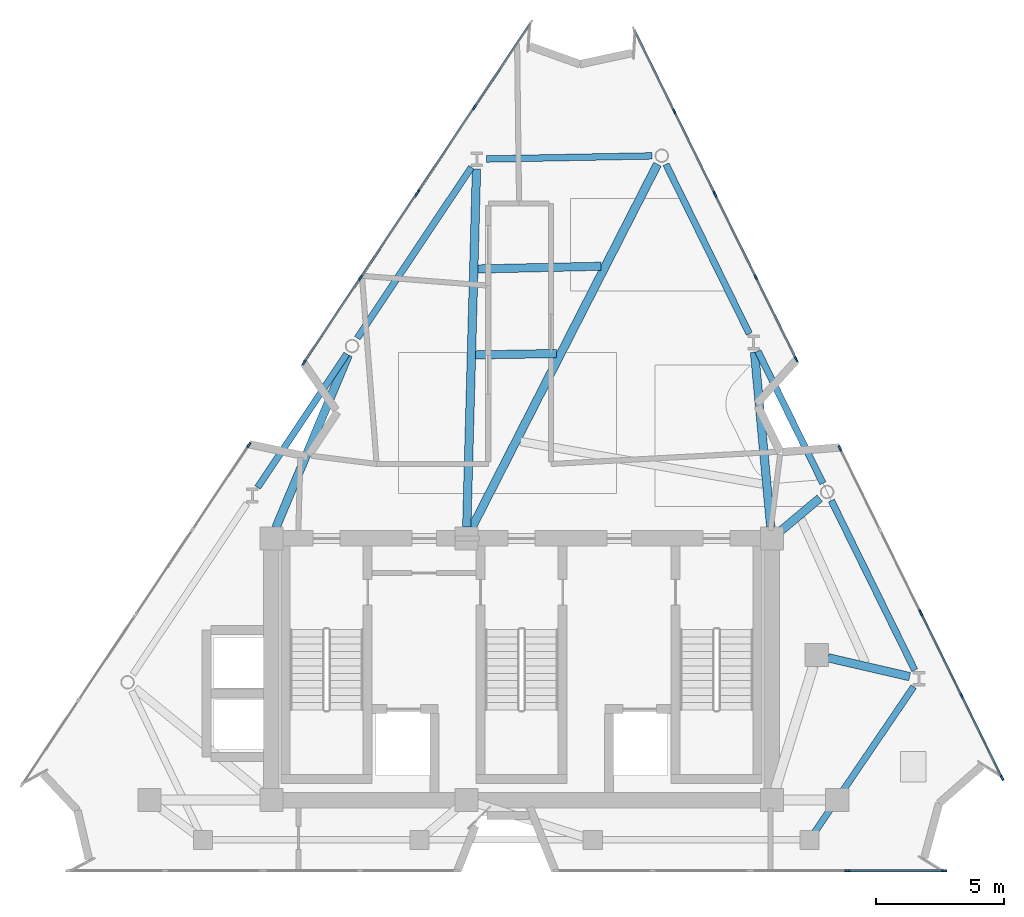
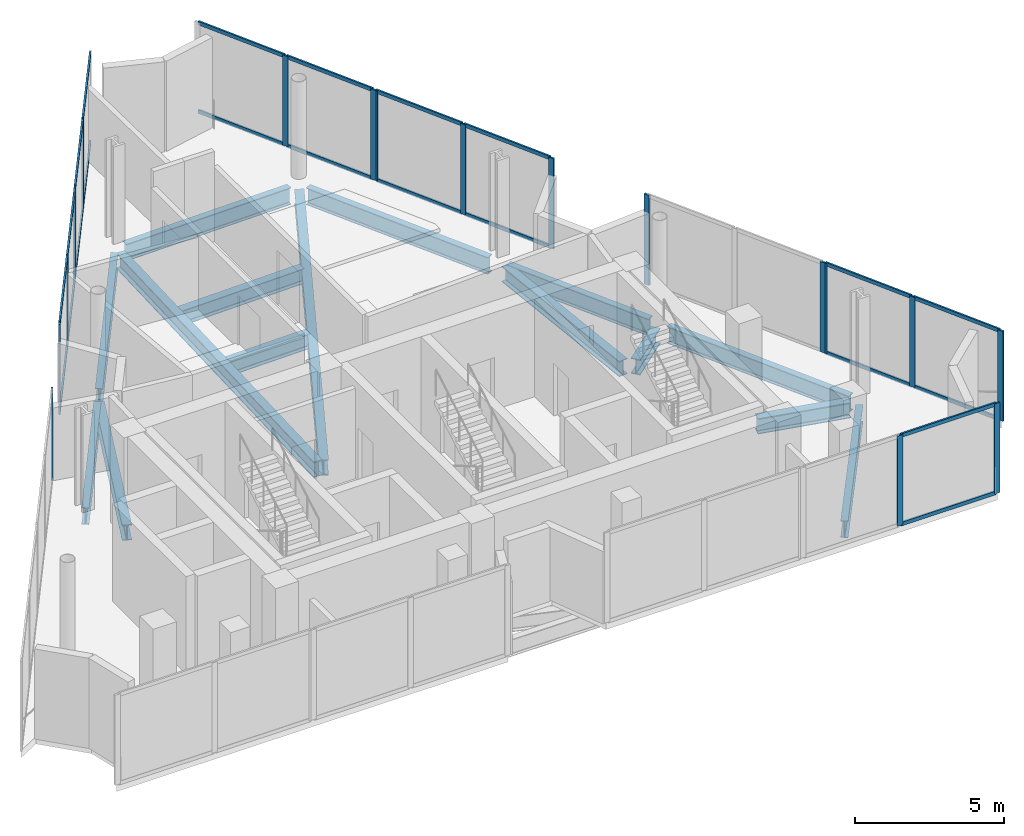
# One storey, part 3 of 9: 40 members, 15 beams, 8 elements without a shape of their own.
"""IFC4 building model written with IfcOpenShell, lengths in metres."""

from ifc_helpers import new_model, si_unit, direction, frame, origin, origin_2d, place, context, subcontext, project, spatial, rectangle, i_section, extrude, material, layer, layer_set, material_profile, profile_set, type_object, element, aggregate, save


model = new_model("IFC4")

# Units and contexts
model_context = context("Model", 3, precision=1e-05, world=origin(), true_north=direction((0.0, 1.0)))
body_context = subcontext(model_context, "Body", "Model", "MODEL_VIEW")
ifc_project = project(units=[si_unit("LENGTHUNIT", "METRE"), si_unit("AREAUNIT", "SQUARE_METRE"), si_unit("VOLUMEUNIT", "CUBIC_METRE"), si_unit("PLANEANGLEUNIT", "RADIAN"), si_unit("MASSUNIT", "GRAM", prefix="KILO")], contexts=[model_context])

# Site, building, storey
site_placement = place(None, origin())
site = spatial("IfcSite", under=ifc_project, at=site_placement, CompositionType="ELEMENT")
building_placement = place(site_placement, origin())
building = spatial("IfcBuilding", under=site, at=building_placement, Name="Almagre Mirador Tower", CompositionType="ELEMENT")
storey_placement = place(building_placement, frame((0.0, 0.0, 298.5)))
storey = spatial("IfcBuildingStorey", under=building, at=storey_placement, Name="L77", CompositionType="ELEMENT", Elevation=298.5)

# Beams
ifc_material_1 = material(Name="Steel ASTM A992 Grade 50", Category="steel")
ifc_material_profile_1 = material_profile(ifc_material_1, i_section(OverallWidth=0.323974609375, OverallDepth=0.611083984375, WebThickness=0.0126953125, FlangeThickness=0.01904296875, FilletRadius=0.02001953125, at=origin_2d()), Name="W24X104")
ifc_profile_set_1 = profile_set([ifc_material_profile_1], Name="Steel ASTM A992 Grade 50")
beam_type_1 = type_object("IfcBeamType", Name="BM-JST-W24X104", PredefinedType="JOIST", material=ifc_profile_set_1)
beam_1_placement = place(storey_placement, frame((40.3994140625, 25.354736328125, -0.60546875), z_axis=(-0.999754080781, -0.022176067319, 0.0), x_axis=(0.022176067319, -0.999754080781, 0.0)))
element("IfcBeam", 1, at=beam_1_placement, inside=storey, type_object=beam_type_1, Name="L77 secondary floor joist PC08-PC09.1", PredefinedType="JOIST", context=body_context, shape_type="SweptSolid", body=[
    extrude(i_section(OverallWidth=0.323974609375, OverallDepth=0.611083984375, WebThickness=0.0126953125, FlangeThickness=0.01904296875, FilletRadius=0.02001953125, at=origin_2d()), origin(), (0.0, 0.0, 1.0), 4.800048828125),
])
beam_2_placement = place(storey_placement, frame((38.662841796875, 21.952880859375, -0.60546875), z_axis=(-0.999854967676, -0.017030666839, 0.0), x_axis=(0.017030666839, -0.999854967676, 0.0)))
element("IfcBeam", 2, at=beam_2_placement, inside=storey, type_object=beam_type_1, Name="L77 secondary floor joist PC08-PC09.2", PredefinedType="JOIST", context=body_context, shape_type="SweptSolid", body=[
    extrude(i_section(OverallWidth=0.323974609375, OverallDepth=0.611083984375, WebThickness=0.0126953125, FlangeThickness=0.01904296875, FilletRadius=0.02001953125, at=origin_2d()), origin(), (0.0, 0.0, 1.0), 3.15380859375),
])
ifc_material_2 = material(Name="Steel ASTM A992 Grade 50", Category="steel")
ifc_material_profile_2 = material_profile(ifc_material_2, i_section(OverallWidth=0.256103515625, OverallDepth=0.693115234375, WebThickness=0.014404296875, FlangeThickness=0.023681640625, FilletRadius=0.02197265625, at=origin_2d()), Name="W27X114")
ifc_profile_set_2 = profile_set([ifc_material_profile_2], Name="Steel ASTM A992 Grade 50")
beam_type_2 = type_object("IfcBeamType", Name="BM-SPN-W27X114", PredefinedType="SPANDREL", material=ifc_profile_set_2)
beam_3_placement = place(storey_placement, frame((48.726806640625, 3.31005859375, -0.646484375), z_axis=(0.562310021407, 0.82692650207, 0.0), x_axis=(-0.82692650207, 0.562310021407, 0.0)))
element("IfcBeam", 3, at=beam_3_placement, inside=storey, type_object=beam_type_2, Name="L77 perimeter spandrel beam PC04-PC05", PredefinedType="SPANDREL", context=body_context, shape_type="SweptSolid", body=[
    extrude(i_section(OverallWidth=0.256103515625, OverallDepth=0.693115234375, WebThickness=0.014404296875, FlangeThickness=0.023681640625, FilletRadius=0.02197265625, at=origin_2d()), origin(), (0.0, 0.0, 1.0), 6.842041015625),
])
beam_4_placement = place(storey_placement, frame((52.619384765625, 9.614501953125, -0.646484375), z_axis=(-0.441261435998, 0.897378596302, 0.0), x_axis=(-0.897378596302, -0.441261435998, 0.0)))
element("IfcBeam", 4, at=beam_4_placement, inside=storey, type_object=beam_type_2, Name="L77 perimeter spandrel beam PC05-PC06", PredefinedType="SPANDREL", context=body_context, shape_type="SweptSolid", body=[
    extrude(i_section(OverallWidth=0.256103515625, OverallDepth=0.693115234375, WebThickness=0.014404296875, FlangeThickness=0.023681640625, FilletRadius=0.02197265625, at=origin_2d()), origin(), (0.0, 0.0, 1.0), 7.362548828125),
])
beam_5_placement = place(storey_placement, frame((49.03955078125, 16.89453125, -0.646484375), z_axis=(-0.441283159843, 0.897367913867, 0.0), x_axis=(-0.897367913867, -0.441283159843, 0.0)))
element("IfcBeam", 5, at=beam_5_placement, inside=storey, type_object=beam_type_2, Name="L77 perimeter spandrel beam PC06-PC07", PredefinedType="SPANDREL", context=body_context, shape_type="SweptSolid", body=[
    extrude(i_section(OverallWidth=0.256103515625, OverallDepth=0.693115234375, WebThickness=0.014404296875, FlangeThickness=0.023681640625, FilletRadius=0.02197265625, at=origin_2d()), origin(), (0.0, 0.0, 1.0), 5.739990234375),
])
beam_6_placement = place(storey_placement, frame((46.175537109375, 22.718505859375, -0.646484375), z_axis=(-0.441288138853, 0.897365465408, 0.0), x_axis=(-0.897365465408, -0.441288138853, 0.0)))
element("IfcBeam", 6, at=beam_6_placement, inside=storey, type_object=beam_type_2, Name="L77 perimeter spandrel beam PC07-PC08", PredefinedType="SPANDREL", context=body_context, shape_type="SweptSolid", body=[
    extrude(i_section(OverallWidth=0.256103515625, OverallDepth=0.693115234375, WebThickness=0.014404296875, FlangeThickness=0.023681640625, FilletRadius=0.02197265625, at=origin_2d()), origin(), (0.0, 0.0, 1.0), 7.362548828125),
])
beam_7_placement = place(storey_placement, frame((42.385986328125, 29.65478515625, -0.646484375), z_axis=(-0.99982288109, -0.018820373253, 0.0), x_axis=(0.018820373253, -0.99982288109, 0.0)))
element("IfcBeam", 7, at=beam_7_placement, inside=storey, type_object=beam_type_2, Name="L77 perimeter spandrel beam PC08-PC09", PredefinedType="SPANDREL", context=body_context, shape_type="SweptSolid", body=[
    extrude(i_section(OverallWidth=0.256103515625, OverallDepth=0.693115234375, WebThickness=0.014404296875, FlangeThickness=0.023681640625, FilletRadius=0.02197265625, at=origin_2d()), origin(), (0.0, 0.0, 1.0), 6.460205078125),
])
beam_8_placement = place(storey_placement, frame((35.34375, 29.214111328125, -0.646484375), z_axis=(-0.555228061938, -0.831698141898, 0.0), x_axis=(0.831698141898, -0.555228061938, 0.0)))
element("IfcBeam", 8, at=beam_8_placement, inside=storey, type_object=beam_type_2, Name="L77 perimeter spandrel beam PC09-PC10", PredefinedType="SPANDREL", context=body_context, shape_type="SweptSolid", body=[
    extrude(i_section(OverallWidth=0.256103515625, OverallDepth=0.693115234375, WebThickness=0.014404296875, FlangeThickness=0.023681640625, FilletRadius=0.02197265625, at=origin_2d()), origin(), (0.0, 0.0, 1.0), 8.003173828125),
])
beam_9_placement = place(storey_placement, frame((30.48388671875, 21.93408203125, -0.646484375), z_axis=(-0.555240722479, -0.831689689789, 0.0), x_axis=(0.831689689789, -0.555240722479, 0.0)))
element("IfcBeam", 9, at=beam_9_placement, inside=storey, type_object=beam_type_2, Name="L77 perimeter spandrel beam PC10-PC11", PredefinedType="SPANDREL", context=body_context, shape_type="SweptSolid", body=[
    extrude(i_section(OverallWidth=0.256103515625, OverallDepth=0.693115234375, WebThickness=0.014404296875, FlangeThickness=0.023681640625, FilletRadius=0.02197265625, at=origin_2d()), origin(), (0.0, 0.0, 1.0), 6.252685546875),
])
ifc_material_3 = material(Name="Steel ASTM A992 Grade 50", Category="steel")
ifc_material_profile_3 = material_profile(ifc_material_3, i_section(OverallWidth=0.330078125, OverallDepth=0.635009765625, WebThickness=0.017822265625, FlangeThickness=0.031005859375, FilletRadius=0.02001953125, at=origin_2d()), Name="W24X162")
ifc_profile_set_3 = profile_set([ifc_material_profile_3], Name="Steel ASTM A992 Grade 50")
beam_type_3 = type_object("IfcBeamType", Name="BM-STL-W24X162", PredefinedType="BEAM", material=ifc_profile_set_3)
beam_10_placement = place(storey_placement, frame((52.419677734375, 9.362548828125, -0.617431640625), z_axis=(-0.974262507949, 0.225416427094, 0.0), x_axis=(-0.225416427094, -0.974262507949, 0.0)))
element("IfcBeam", 10, at=beam_10_placement, inside=storey, type_object=beam_type_3, Name="L77 radial floor girder PC05-MC3", PredefinedType="BEAM", context=body_context, shape_type="SweptSolid", body=[
    extrude(i_section(OverallWidth=0.330078125, OverallDepth=0.635009765625, WebThickness=0.017822265625, FlangeThickness=0.031005859375, FilletRadius=0.02001953125, at=origin_2d()), origin(), (0.0, 0.0, 1.0), 3.265380859375),
])
beam_11_placement = place(storey_placement, frame((48.917724609375, 16.31689453125, -0.617431640625), z_axis=(-0.766123266272, -0.642693660212, 0.0), x_axis=(0.642693660212, -0.766123266272, 0.0)))
element("IfcBeam", 11, at=beam_11_placement, inside=storey, type_object=beam_type_3, Name="L77 radial floor girder PC06-CC6", PredefinedType="BEAM", context=body_context, shape_type="SweptSolid", body=[
    extrude(i_section(OverallWidth=0.330078125, OverallDepth=0.635009765625, WebThickness=0.017822265625, FlangeThickness=0.031005859375, FilletRadius=0.02001953125, at=origin_2d()), origin(), (0.0, 0.0, 1.0), 1.98779296875),
])
beam_12_placement = place(storey_placement, frame((46.375732421875, 22.008544921875, -0.617431640625), z_axis=(0.092482640645, -0.995714296964, 0.0), x_axis=(0.995714296964, 0.092482640645, 0.0)))
element("IfcBeam", 12, at=beam_12_placement, inside=storey, type_object=beam_type_3, Name="L77 radial floor girder PC07-CC6", PredefinedType="BEAM", context=body_context, shape_type="SweptSolid", body=[
    extrude(i_section(OverallWidth=0.330078125, OverallDepth=0.635009765625, WebThickness=0.017822265625, FlangeThickness=0.031005859375, FilletRadius=0.02001953125, at=origin_2d()), origin(), (0.0, 0.0, 1.0), 6.83984375),
])
beam_13_placement = place(storey_placement, frame((42.590576171875, 29.327880859375, -0.617431640625), z_axis=(-0.454615883483, -0.890687598704, 0.0), x_axis=(0.890687598704, -0.454615883483, 0.0)))
element("IfcBeam", 13, at=beam_13_placement, inside=storey, type_object=beam_type_3, Name="L77 radial floor girder PC08-CC5", PredefinedType="BEAM", context=body_context, shape_type="SweptSolid", body=[
    extrude(i_section(OverallWidth=0.330078125, OverallDepth=0.635009765625, WebThickness=0.017822265625, FlangeThickness=0.031005859375, FilletRadius=0.02001953125, at=origin_2d()), origin(), (0.0, 0.0, 1.0), 15.9169921875),
])
beam_14_placement = place(storey_placement, frame((35.541748046875, 29.151123046875, -0.617431640625), z_axis=(-0.027201410592, -0.999629973171, 0.0), x_axis=(0.999629973171, -0.027201410592, 0.0)))
element("IfcBeam", 14, at=beam_14_placement, inside=storey, type_object=beam_type_3, Name="L77 radial floor girder PC09-CC5", PredefinedType="BEAM", context=body_context, shape_type="SweptSolid", body=[
    extrude(i_section(OverallWidth=0.330078125, OverallDepth=0.635009765625, WebThickness=0.017822265625, FlangeThickness=0.031005859375, FilletRadius=0.02001953125, at=origin_2d()), origin(), (0.0, 0.0, 1.0), 13.95654296875),
])
beam_15_placement = place(storey_placement, frame((30.547119140625, 21.900146484375, -0.617431640625), z_axis=(-0.386563420081, -0.922262827102, 0.0), x_axis=(0.922262827102, -0.386563420081, 0.0)))
element("IfcBeam", 15, at=beam_15_placement, inside=storey, type_object=beam_type_3, Name="L77 radial floor girder PC10-CC4", PredefinedType="BEAM", context=body_context, shape_type="SweptSolid", body=[
    extrude(i_section(OverallWidth=0.330078125, OverallDepth=0.635009765625, WebThickness=0.017822265625, FlangeThickness=0.031005859375, FilletRadius=0.02001953125, at=origin_2d()), origin(), (0.0, 0.0, 1.0), 7.302734375),
])

# Curtain wall, members
ifc_material_4 = material(Name="Black anodized aluminium", Category="aluminium")
ifc_layer = layer(ifc_material_4, 0.2099609375)
ifc_layer_set = layer_set([ifc_layer], Name="Black anodized aluminium")
curtain_wall_type = type_object("IfcCurtainWallType", Name="CW-CRN-SYS", PredefinedType="NOTDEFINED", material=ifc_layer_set)
curtain_wall_1_placement = place(storey_placement, origin())
curtain_wall_1 = element("IfcCurtainWall", 16, at=curtain_wall_1_placement, inside=storey, type_object=curtain_wall_type, Name="L77 curtain wall run 01", PredefinedType="NOTDEFINED")
ifc_material_5 = material(Name="Black anodized aluminium", Category="aluminium")
ifc_material_profile_4 = material_profile(ifc_material_5, rectangle(XDim=0.070068359375, YDim=0.2099609375, at=origin_2d()), Name="CWM70X210")
ifc_profile_set_4 = profile_set([ifc_material_profile_4], Name="Black anodized aluminium")
member_type_1 = type_object("IfcMemberType", Name="MBR-CWM70X210", PredefinedType="MULLION", material=ifc_profile_set_4)
member_1_placement = place(storey_placement, frame((28.824462890625, 21.609130859375, 0.0), z_axis=(0.0, 0.0, 1.0), x_axis=(-0.831703606854, 0.555219875676, 0.0)))
member_1 = element("IfcMember", 17, at=member_1_placement, type_object=member_type_1, Name="CW-6 mullion 1", PredefinedType="MULLION", context=body_context, shape_type="SweptSolid", body=[
    extrude(rectangle(XDim=0.070068359375, YDim=0.2099609375, at=origin_2d()), origin(), (0.0, 0.0, 1.0), 3.699951171875),
])
member_2_placement = place(storey_placement, frame((31.0234375, 24.9033203125, 0.0), z_axis=(0.0, 0.0, 1.0), x_axis=(-0.831703606854, 0.555219875676, 0.0)))
member_2 = element("IfcMember", 18, at=member_2_placement, type_object=member_type_1, Name="CW-6 mullion 2", PredefinedType="MULLION", context=body_context, shape_type="SweptSolid", body=[
    extrude(rectangle(XDim=0.070068359375, YDim=0.2099609375, at=origin_2d()), origin(), (0.0, 0.0, 1.0), 3.699951171875),
])
member_3_placement = place(storey_placement, frame((33.22265625, 28.197509765625, 0.0), z_axis=(0.0, 0.0, 1.0), x_axis=(-0.831703606854, 0.555219875676, 0.0)))
member_3 = element("IfcMember", 19, at=member_3_placement, type_object=member_type_1, Name="CW-6 mullion 3", PredefinedType="MULLION", context=body_context, shape_type="SweptSolid", body=[
    extrude(rectangle(XDim=0.070068359375, YDim=0.2099609375, at=origin_2d()), origin(), (0.0, 0.0, 1.0), 3.699951171875),
])

curtain_wall_2_placement = place(storey_placement, origin())
curtain_wall_2 = element("IfcCurtainWall", 20, at=curtain_wall_2_placement, inside=storey, type_object=curtain_wall_type, Name="L77 curtain wall run 02", PredefinedType="NOTDEFINED")
member_4_placement = place(storey_placement, frame((33.261474609375, 28.255615234375, 0.0), z_axis=(0.0, 0.0, 1.0), x_axis=(-0.831703606854, 0.555219875676, 0.0)))
member_4 = element("IfcMember", 21, at=member_4_placement, type_object=member_type_1, Name="CW-6 mullion 1", PredefinedType="MULLION", context=body_context, shape_type="SweptSolid", body=[
    extrude(rectangle(XDim=0.070068359375, YDim=0.2099609375, at=origin_2d()), origin(), (0.0, 0.0, 1.0), 3.699951171875),
])
member_5_placement = place(storey_placement, frame((35.46044921875, 31.5498046875, 0.0), z_axis=(0.0, 0.0, 1.0), x_axis=(-0.831703606854, 0.555219875676, 0.0)))
member_5 = element("IfcMember", 22, at=member_5_placement, type_object=member_type_1, Name="CW-6 mullion 2", PredefinedType="MULLION", context=body_context, shape_type="SweptSolid", body=[
    extrude(rectangle(XDim=0.070068359375, YDim=0.2099609375, at=origin_2d()), origin(), (0.0, 0.0, 1.0), 3.699951171875),
])

curtain_wall_3_placement = place(storey_placement, origin())
curtain_wall_3 = element("IfcCurtainWall", 23, at=curtain_wall_3_placement, inside=storey, type_object=curtain_wall_type, Name="L77 curtain wall run 03", PredefinedType="NOTDEFINED")
member_6_placement = place(storey_placement, frame((43.251708984375, 31.384521484375, 0.0), z_axis=(0.0, 0.0, 1.0), x_axis=(0.897355834196, 0.441307723516, 0.0)))
member_6 = element("IfcMember", 24, at=member_6_placement, type_object=member_type_1, Name="CW-6 mullion 2", PredefinedType="MULLION", context=body_context, shape_type="SweptSolid", body=[
    extrude(rectangle(XDim=0.070068359375, YDim=0.2099609375, at=origin_2d()), origin(), (0.0, 0.0, 1.0), 3.699951171875),
])
member_7_placement = place(storey_placement, frame((44.822998046875, 28.189453125, 0.0), z_axis=(0.0, 0.0, 1.0), x_axis=(0.897355834196, 0.441307723516, 0.0)))
member_7 = element("IfcMember", 25, at=member_7_placement, type_object=member_type_1, Name="CW-6 mullion 3", PredefinedType="MULLION", context=body_context, shape_type="SweptSolid", body=[
    extrude(rectangle(XDim=0.070068359375, YDim=0.2099609375, at=origin_2d()), origin(), (0.0, 0.0, 1.0), 3.699951171875),
])

curtain_wall_4_placement = place(storey_placement, origin())
curtain_wall_4 = element("IfcCurtainWall", 26, at=curtain_wall_4_placement, inside=storey, type_object=curtain_wall_type, Name="L77 curtain wall run 04", PredefinedType="NOTDEFINED")
member_8_placement = place(storey_placement, frame((44.85400390625, 28.126708984375, 0.0), z_axis=(0.0, 0.0, 1.0), x_axis=(0.897355834196, 0.441307723516, 0.0)))
member_8 = element("IfcMember", 27, at=member_8_placement, type_object=member_type_1, Name="CW-6 mullion 1", PredefinedType="MULLION", context=body_context, shape_type="SweptSolid", body=[
    extrude(rectangle(XDim=0.070068359375, YDim=0.2099609375, at=origin_2d()), origin(), (0.0, 0.0, 1.0), 3.699951171875),
])
member_9_placement = place(storey_placement, frame((46.42529296875, 24.931396484375, 0.0), z_axis=(0.0, 0.0, 1.0), x_axis=(0.897355834196, 0.441307723516, 0.0)))
member_9 = element("IfcMember", 28, at=member_9_placement, type_object=member_type_1, Name="CW-6 mullion 2", PredefinedType="MULLION", context=body_context, shape_type="SweptSolid", body=[
    extrude(rectangle(XDim=0.070068359375, YDim=0.2099609375, at=origin_2d()), origin(), (0.0, 0.0, 1.0), 3.699951171875),
])
member_10_placement = place(storey_placement, frame((47.99658203125, 21.736328125, 0.0), z_axis=(0.0, 0.0, 1.0), x_axis=(0.897355834196, 0.441307723516, 0.0)))
member_10 = element("IfcMember", 29, at=member_10_placement, type_object=member_type_1, Name="CW-6 mullion 3", PredefinedType="MULLION", context=body_context, shape_type="SweptSolid", body=[
    extrude(rectangle(XDim=0.070068359375, YDim=0.2099609375, at=origin_2d()), origin(), (0.0, 0.0, 1.0), 3.699951171875),
])

curtain_wall_5_placement = place(storey_placement, origin())
curtain_wall_5 = element("IfcCurtainWall", 30, at=curtain_wall_5_placement, inside=storey, type_object=curtain_wall_type, Name="L77 curtain wall run 05", PredefinedType="NOTDEFINED")
member_11_placement = place(storey_placement, frame((49.703369140625, 18.263671875, 0.0), z_axis=(0.0, 0.0, 1.0), x_axis=(0.897355834196, 0.441307723516, 0.0)))
member_11 = element("IfcMember", 31, at=member_11_placement, type_object=member_type_1, Name="CW-6 mullion 1", PredefinedType="MULLION", context=body_context, shape_type="SweptSolid", body=[
    extrude(rectangle(XDim=0.070068359375, YDim=0.2099609375, at=origin_2d()), origin(), (0.0, 0.0, 1.0), 3.699951171875),
])
member_12_placement = place(storey_placement, frame((52.845947265625, 11.873291015625, 0.0), z_axis=(0.0, 0.0, 1.0), x_axis=(0.897355834196, 0.441307723516, 0.0)))
member_12 = element("IfcMember", 32, at=member_12_placement, type_object=member_type_1, Name="CW-6 mullion 3", PredefinedType="MULLION", context=body_context, shape_type="SweptSolid", body=[
    extrude(rectangle(XDim=0.070068359375, YDim=0.2099609375, at=origin_2d()), origin(), (0.0, 0.0, 1.0), 3.699951171875),
])
aggregate(curtain_wall_5, [member_11, member_12])

curtain_wall_6_placement = place(storey_placement, origin())
curtain_wall_6 = element("IfcCurtainWall", 33, at=curtain_wall_6_placement, inside=storey, type_object=curtain_wall_type, Name="L77 curtain wall run 06", PredefinedType="NOTDEFINED")
member_13_placement = place(storey_placement, frame((52.876953125, 11.810546875, 0.0), z_axis=(0.0, 0.0, 1.0), x_axis=(0.897355834196, 0.441307723516, 0.0)))
member_13 = element("IfcMember", 34, at=member_13_placement, type_object=member_type_1, Name="CW-6 mullion 1", PredefinedType="MULLION", context=body_context, shape_type="SweptSolid", body=[
    extrude(rectangle(XDim=0.070068359375, YDim=0.2099609375, at=origin_2d()), origin(), (0.0, 0.0, 1.0), 3.699951171875),
])
member_14_placement = place(storey_placement, frame((54.4482421875, 8.615478515625, 0.0), z_axis=(0.0, 0.0, 1.0), x_axis=(0.897355834196, 0.441307723516, 0.0)))
member_14 = element("IfcMember", 35, at=member_14_placement, type_object=member_type_1, Name="CW-6 mullion 2", PredefinedType="MULLION", context=body_context, shape_type="SweptSolid", body=[
    extrude(rectangle(XDim=0.070068359375, YDim=0.2099609375, at=origin_2d()), origin(), (0.0, 0.0, 1.0), 3.699951171875),
])
member_15_placement = place(storey_placement, frame((56.01953125, 5.42041015625, 0.0), z_axis=(0.0, 0.0, 1.0), x_axis=(0.897355834196, 0.441307723516, 0.0)))
member_15 = element("IfcMember", 36, at=member_15_placement, type_object=member_type_1, Name="CW-6 mullion 3", PredefinedType="MULLION", context=body_context, shape_type="SweptSolid", body=[
    extrude(rectangle(XDim=0.070068359375, YDim=0.2099609375, at=origin_2d()), origin(), (0.0, 0.0, 1.0), 3.699951171875),
])

curtain_wall_7_placement = place(storey_placement, origin())
curtain_wall_7 = element("IfcCurtainWall", 37, at=curtain_wall_7_placement, inside=storey, type_object=curtain_wall_type, Name="L77 curtain wall run 07", PredefinedType="NOTDEFINED")
member_16_placement = place(storey_placement, frame((53.764892578125, 1.800048828125, 0.0), z_axis=(0.0, 0.0, 1.0), x_axis=(0.0, -1.0, 0.0)))
member_16 = element("IfcMember", 38, at=member_16_placement, type_object=member_type_1, Name="CW-6 mullion 1", PredefinedType="MULLION", context=body_context, shape_type="SweptSolid", body=[
    extrude(rectangle(XDim=0.070068359375, YDim=0.2099609375, at=origin_2d()), origin(), (0.0, 0.0, 1.0), 3.699951171875),
])
member_17_placement = place(storey_placement, frame((50.0, 1.800048828125, 0.0), z_axis=(0.0, 0.0, 1.0), x_axis=(0.0, -1.0, 0.0)))
member_17 = element("IfcMember", 39, at=member_17_placement, type_object=member_type_1, Name="CW-6 mullion 2", PredefinedType="MULLION", context=body_context, shape_type="SweptSolid", body=[
    extrude(rectangle(XDim=0.070068359375, YDim=0.2099609375, at=origin_2d()), origin(), (0.0, 0.0, 1.0), 3.699951171875),
])

# Curtain wall, member
curtain_wall_8_placement = place(storey_placement, origin())
curtain_wall_8 = element("IfcCurtainWall", 40, at=curtain_wall_8_placement, inside=storey, type_object=curtain_wall_type, Name="L77 curtain wall run 12", PredefinedType="NOTDEFINED")
member_18_placement = place(storey_placement, frame((26.675537109375, 18.390869140625, 0.0), z_axis=(0.0, 0.0, 1.0), x_axis=(-0.831703606854, 0.555219875676, 0.0)))
member_18 = element("IfcMember", 41, at=member_18_placement, type_object=member_type_1, Name="CW-6 mullion 3", PredefinedType="MULLION", context=body_context, shape_type="SweptSolid", body=[
    extrude(rectangle(XDim=0.070068359375, YDim=0.2099609375, at=origin_2d()), origin(), (0.0, 0.0, 1.0), 3.699951171875),
])
aggregate(curtain_wall_8, [member_18])

# Member
ifc_material_6 = material(Name="Black anodized aluminium", Category="aluminium")
ifc_material_profile_5 = material_profile(ifc_material_6, rectangle(XDim=0.06494140625, YDim=0.14990234375, at=origin_2d()), Name="CWT65X150")
ifc_profile_set_5 = profile_set([ifc_material_profile_5], Name="Black anodized aluminium")
member_type_2 = type_object("IfcMemberType", Name="MBR-CWT65X150", PredefinedType="USERDEFINED", material=ifc_profile_set_5)
member_19_placement = place(storey_placement, frame((28.84375, 21.63818359375, 0.032470703125), z_axis=(0.555264808345, 0.831673609425, 0.0), x_axis=(-0.831673609425, 0.555264808345, 0.0)))
member_19 = element("IfcMember", 42, at=member_19_placement, type_object=member_type_2, Name="CW-6 transom 1.1", ObjectType="TRANSOM", PredefinedType="USERDEFINED", context=body_context, shape_type="SweptSolid", body=[
    extrude(rectangle(XDim=0.06494140625, YDim=0.14990234375, at=origin_2d()), origin(), (0.0, 0.0, 1.0), 3.890869140625),
])

member_20_placement = place(storey_placement, frame((28.84375, 21.63818359375, 3.66748046875), z_axis=(0.555264808345, 0.831673609425, 0.0), x_axis=(-0.831673609425, 0.555264808345, 0.0)))
member_20 = element("IfcMember", 43, at=member_20_placement, type_object=member_type_2, Name="CW-6 transom 1.2", ObjectType="TRANSOM", PredefinedType="USERDEFINED", context=body_context, shape_type="SweptSolid", body=[
    extrude(rectangle(XDim=0.06494140625, YDim=0.14990234375, at=origin_2d()), origin(), (0.0, 0.0, 1.0), 3.890869140625),
])

member_21_placement = place(storey_placement, frame((31.04296875, 24.932373046875, 0.032470703125), z_axis=(0.555221403871, 0.831702586676, 0.0), x_axis=(-0.831702586676, 0.555221403871, 0.0)))
member_21 = element("IfcMember", 44, at=member_21_placement, type_object=member_type_2, Name="CW-6 transom 2.1", ObjectType="TRANSOM", PredefinedType="USERDEFINED", context=body_context, shape_type="SweptSolid", body=[
    extrude(rectangle(XDim=0.06494140625, YDim=0.14990234375, at=origin_2d()), origin(), (0.0, 0.0, 1.0), 3.890625),
])

member_22_placement = place(storey_placement, frame((31.04296875, 24.932373046875, 3.66748046875), z_axis=(0.555221403871, 0.831702586676, 0.0), x_axis=(-0.831702586676, 0.555221403871, 0.0)))
member_22 = element("IfcMember", 45, at=member_22_placement, type_object=member_type_2, Name="CW-6 transom 2.2", ObjectType="TRANSOM", PredefinedType="USERDEFINED", context=body_context, shape_type="SweptSolid", body=[
    extrude(rectangle(XDim=0.06494140625, YDim=0.14990234375, at=origin_2d()), origin(), (0.0, 0.0, 1.0), 3.890625),
])

aggregate(curtain_wall_1, [member_1, member_2, member_3, member_19, member_20, member_21, member_22])

member_23_placement = place(storey_placement, frame((33.28076171875, 28.28466796875, 0.032470703125), z_axis=(0.555235832146, 0.831692954582, 0.0), x_axis=(-0.831692954582, 0.555235832146, 0.0)))
member_23 = element("IfcMember", 46, at=member_23_placement, type_object=member_type_2, Name="CW-6 transom 1.1", ObjectType="TRANSOM", PredefinedType="USERDEFINED", context=body_context, shape_type="SweptSolid", body=[
    extrude(rectangle(XDim=0.06494140625, YDim=0.14990234375, at=origin_2d()), origin(), (0.0, 0.0, 1.0), 3.890869140625),
])

member_24_placement = place(storey_placement, frame((33.28076171875, 28.28466796875, 3.66748046875), z_axis=(0.555235832146, 0.831692954582, 0.0), x_axis=(-0.831692954582, 0.555235832146, 0.0)))
member_24 = element("IfcMember", 47, at=member_24_placement, type_object=member_type_2, Name="CW-6 transom 1.2", ObjectType="TRANSOM", PredefinedType="USERDEFINED", context=body_context, shape_type="SweptSolid", body=[
    extrude(rectangle(XDim=0.06494140625, YDim=0.14990234375, at=origin_2d()), origin(), (0.0, 0.0, 1.0), 3.890869140625),
])

member_25_placement = place(storey_placement, frame((35.47998046875, 31.578857421875, 0.032470703125), z_axis=(0.555221403871, 0.831702586676, 0.0), x_axis=(-0.831702586676, 0.555221403871, 0.0)))
member_25 = element("IfcMember", 48, at=member_25_placement, type_object=member_type_2, Name="CW-6 transom 2.1", ObjectType="TRANSOM", PredefinedType="USERDEFINED", context=body_context, shape_type="SweptSolid", body=[
    extrude(rectangle(XDim=0.06494140625, YDim=0.14990234375, at=origin_2d()), origin(), (0.0, 0.0, 1.0), 3.890625),
])

member_26_placement = place(storey_placement, frame((35.47998046875, 31.578857421875, 3.66748046875), z_axis=(0.555221403871, 0.831702586676, 0.0), x_axis=(-0.831702586676, 0.555221403871, 0.0)))
member_26 = element("IfcMember", 49, at=member_26_placement, type_object=member_type_2, Name="CW-6 transom 2.2", ObjectType="TRANSOM", PredefinedType="USERDEFINED", context=body_context, shape_type="SweptSolid", body=[
    extrude(rectangle(XDim=0.06494140625, YDim=0.14990234375, at=origin_2d()), origin(), (0.0, 0.0, 1.0), 3.890625),
])

aggregate(curtain_wall_2, [member_4, member_5, member_23, member_24, member_25, member_26])

member_27_placement = place(storey_placement, frame((41.69580078125, 34.548095703125, 0.032470703125), z_axis=(0.441356588055, -0.89733180161, 0.0), x_axis=(0.89733180161, 0.441356588055, 0.0)))
member_27 = element("IfcMember", 50, at=member_27_placement, type_object=member_type_2, Name="CW-6 transom 1.1", ObjectType="TRANSOM", PredefinedType="USERDEFINED", context=body_context, shape_type="SweptSolid", body=[
    extrude(rectangle(XDim=0.06494140625, YDim=0.14990234375, at=origin_2d()), origin(), (0.0, 0.0, 1.0), 3.490478515625),
])

member_28_placement = place(storey_placement, frame((41.69580078125, 34.548095703125, 3.66748046875), z_axis=(0.441356588055, -0.89733180161, 0.0), x_axis=(0.89733180161, 0.441356588055, 0.0)))
member_28 = element("IfcMember", 51, at=member_28_placement, type_object=member_type_2, Name="CW-6 transom 1.2", ObjectType="TRANSOM", PredefinedType="USERDEFINED", context=body_context, shape_type="SweptSolid", body=[
    extrude(rectangle(XDim=0.06494140625, YDim=0.14990234375, at=origin_2d()), origin(), (0.0, 0.0, 1.0), 3.490478515625),
])

member_29_placement = place(storey_placement, frame((43.26708984375, 31.35302734375, 0.032470703125), z_axis=(0.441328888106, -0.89734542542, 0.0), x_axis=(0.89734542542, 0.441328888106, 0.0)))
member_29 = element("IfcMember", 52, at=member_29_placement, type_object=member_type_2, Name="CW-6 transom 2.1", ObjectType="TRANSOM", PredefinedType="USERDEFINED", context=body_context, shape_type="SweptSolid", body=[
    extrude(rectangle(XDim=0.06494140625, YDim=0.14990234375, at=origin_2d()), origin(), (0.0, 0.0, 1.0), 3.49072265625),
])

member_30_placement = place(storey_placement, frame((43.26708984375, 31.35302734375, 3.66748046875), z_axis=(0.441328888106, -0.89734542542, 0.0), x_axis=(0.89734542542, 0.441328888106, 0.0)))
member_30 = element("IfcMember", 53, at=member_30_placement, type_object=member_type_2, Name="CW-6 transom 2.2", ObjectType="TRANSOM", PredefinedType="USERDEFINED", context=body_context, shape_type="SweptSolid", body=[
    extrude(rectangle(XDim=0.06494140625, YDim=0.14990234375, at=origin_2d()), origin(), (0.0, 0.0, 1.0), 3.49072265625),
])

aggregate(curtain_wall_3, [member_6, member_7, member_27, member_28, member_29, member_30])

member_31_placement = place(storey_placement, frame((44.869384765625, 28.09521484375, 0.032470703125), z_axis=(0.441328888106, -0.89734542542, 0.0), x_axis=(0.89734542542, 0.441328888106, 0.0)))
member_31 = element("IfcMember", 54, at=member_31_placement, type_object=member_type_2, Name="CW-6 transom 1.1", ObjectType="TRANSOM", PredefinedType="USERDEFINED", context=body_context, shape_type="SweptSolid", body=[
    extrude(rectangle(XDim=0.06494140625, YDim=0.14990234375, at=origin_2d()), origin(), (0.0, 0.0, 1.0), 3.49072265625),
])

member_32_placement = place(storey_placement, frame((44.869384765625, 28.09521484375, 3.66748046875), z_axis=(0.441328888106, -0.89734542542, 0.0), x_axis=(0.89734542542, 0.441328888106, 0.0)))
member_32 = element("IfcMember", 55, at=member_32_placement, type_object=member_type_2, Name="CW-6 transom 1.2", ObjectType="TRANSOM", PredefinedType="USERDEFINED", context=body_context, shape_type="SweptSolid", body=[
    extrude(rectangle(XDim=0.06494140625, YDim=0.14990234375, at=origin_2d()), origin(), (0.0, 0.0, 1.0), 3.49072265625),
])

member_33_placement = place(storey_placement, frame((46.440673828125, 24.900146484375, 0.032470703125), z_axis=(0.441328888106, -0.89734542542, 0.0), x_axis=(0.89734542542, 0.441328888106, 0.0)))
member_33 = element("IfcMember", 56, at=member_33_placement, type_object=member_type_2, Name="CW-6 transom 2.1", ObjectType="TRANSOM", PredefinedType="USERDEFINED", context=body_context, shape_type="SweptSolid", body=[
    extrude(rectangle(XDim=0.06494140625, YDim=0.14990234375, at=origin_2d()), origin(), (0.0, 0.0, 1.0), 3.49072265625),
])

member_34_placement = place(storey_placement, frame((46.440673828125, 24.900146484375, 3.66748046875), z_axis=(0.441328888106, -0.89734542542, 0.0), x_axis=(0.89734542542, 0.441328888106, 0.0)))
member_34 = element("IfcMember", 57, at=member_34_placement, type_object=member_type_2, Name="CW-6 transom 2.2", ObjectType="TRANSOM", PredefinedType="USERDEFINED", context=body_context, shape_type="SweptSolid", body=[
    extrude(rectangle(XDim=0.06494140625, YDim=0.14990234375, at=origin_2d()), origin(), (0.0, 0.0, 1.0), 3.49072265625),
])

aggregate(curtain_wall_4, [member_8, member_9, member_10, member_31, member_32, member_33, member_34])

member_35_placement = place(storey_placement, frame((52.892333984375, 11.779296875, 0.032470703125), z_axis=(0.441328888106, -0.89734542542, 0.0), x_axis=(0.89734542542, 0.441328888106, 0.0)))
member_35 = element("IfcMember", 58, at=member_35_placement, type_object=member_type_2, Name="CW-6 transom 1.1", ObjectType="TRANSOM", PredefinedType="USERDEFINED", context=body_context, shape_type="SweptSolid", body=[
    extrude(rectangle(XDim=0.06494140625, YDim=0.14990234375, at=origin_2d()), origin(), (0.0, 0.0, 1.0), 3.49072265625),
])

member_36_placement = place(storey_placement, frame((52.892333984375, 11.779296875, 3.66748046875), z_axis=(0.441328888106, -0.89734542542, 0.0), x_axis=(0.89734542542, 0.441328888106, 0.0)))
member_36 = element("IfcMember", 59, at=member_36_placement, type_object=member_type_2, Name="CW-6 transom 1.2", ObjectType="TRANSOM", PredefinedType="USERDEFINED", context=body_context, shape_type="SweptSolid", body=[
    extrude(rectangle(XDim=0.06494140625, YDim=0.14990234375, at=origin_2d()), origin(), (0.0, 0.0, 1.0), 3.49072265625),
])

member_37_placement = place(storey_placement, frame((54.463623046875, 8.583984375, 0.032470703125), z_axis=(0.441356588055, -0.89733180161, 0.0), x_axis=(0.89733180161, 0.441356588055, 0.0)))
member_37 = element("IfcMember", 60, at=member_37_placement, type_object=member_type_2, Name="CW-6 transom 2.1", ObjectType="TRANSOM", PredefinedType="USERDEFINED", context=body_context, shape_type="SweptSolid", body=[
    extrude(rectangle(XDim=0.06494140625, YDim=0.14990234375, at=origin_2d()), origin(), (0.0, 0.0, 1.0), 3.490478515625),
])

member_38_placement = place(storey_placement, frame((54.463623046875, 8.583984375, 3.66748046875), z_axis=(0.441356588055, -0.89733180161, 0.0), x_axis=(0.89733180161, 0.441356588055, 0.0)))
member_38 = element("IfcMember", 61, at=member_38_placement, type_object=member_type_2, Name="CW-6 transom 2.2", ObjectType="TRANSOM", PredefinedType="USERDEFINED", context=body_context, shape_type="SweptSolid", body=[
    extrude(rectangle(XDim=0.06494140625, YDim=0.14990234375, at=origin_2d()), origin(), (0.0, 0.0, 1.0), 3.490478515625),
])

aggregate(curtain_wall_6, [member_13, member_14, member_15, member_35, member_36, member_37, member_38])

member_39_placement = place(storey_placement, frame((53.72998046875, 1.800048828125, 0.032470703125), z_axis=(-1.0, 0.0, 0.0), x_axis=(0.0, -1.0, 0.0)))
member_39 = element("IfcMember", 62, at=member_39_placement, type_object=member_type_2, Name="CW-6 transom 1.1", ObjectType="TRANSOM", PredefinedType="USERDEFINED", context=body_context, shape_type="SweptSolid", body=[
    extrude(rectangle(XDim=0.06494140625, YDim=0.14990234375, at=origin_2d()), origin(), (0.0, 0.0, 1.0), 3.695068359375),
])

member_40_placement = place(storey_placement, frame((53.72998046875, 1.800048828125, 3.66748046875), z_axis=(-1.0, 0.0, 0.0), x_axis=(0.0, -1.0, 0.0)))
member_40 = element("IfcMember", 63, at=member_40_placement, type_object=member_type_2, Name="CW-6 transom 1.2", ObjectType="TRANSOM", PredefinedType="USERDEFINED", context=body_context, shape_type="SweptSolid", body=[
    extrude(rectangle(XDim=0.06494140625, YDim=0.14990234375, at=origin_2d()), origin(), (0.0, 0.0, 1.0), 3.695068359375),
])

aggregate(curtain_wall_7, [member_16, member_17, member_39, member_40])

save(model, "model.ifc")
